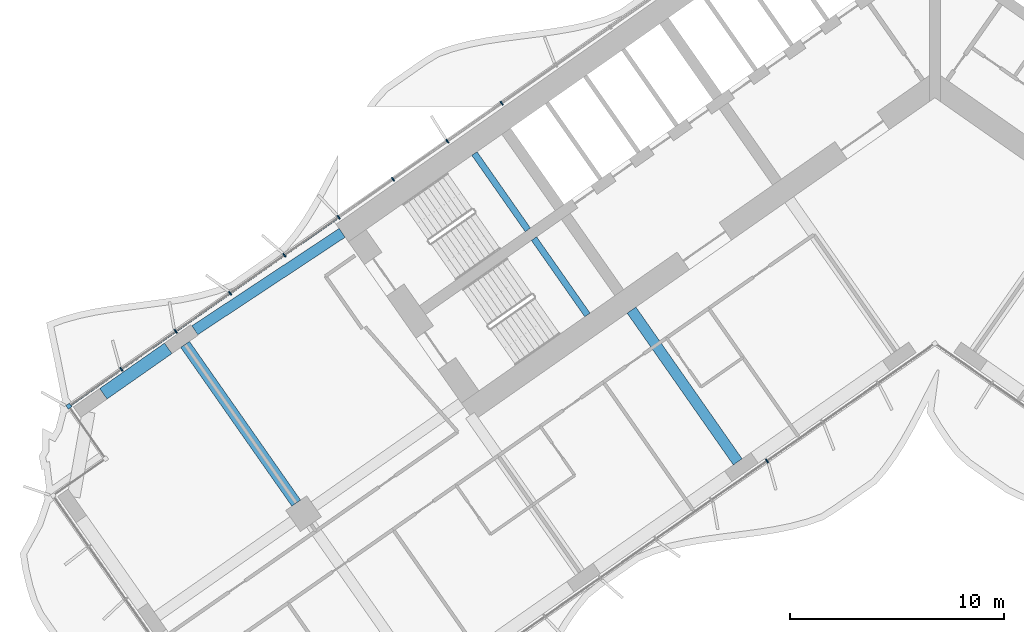
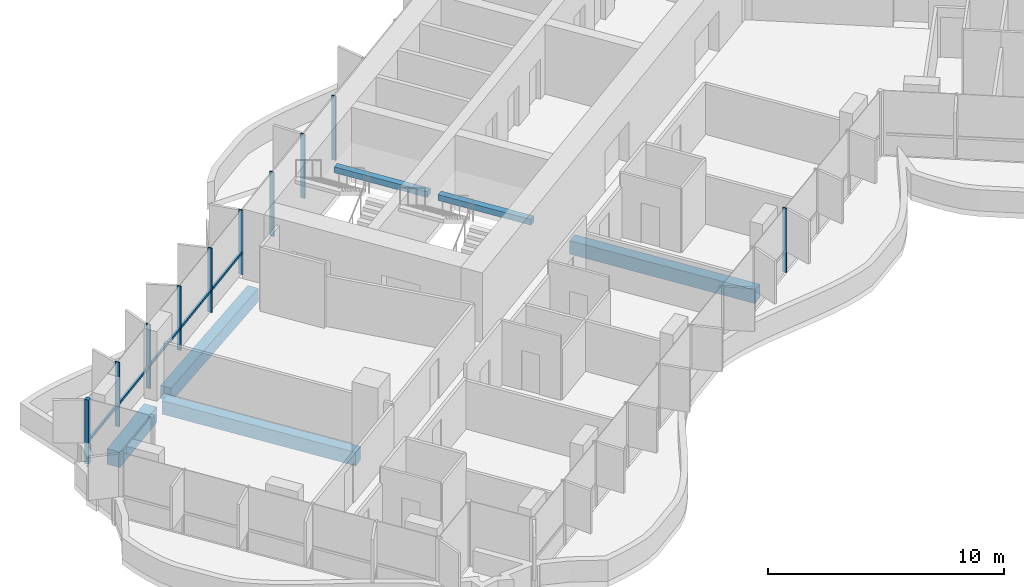
# One storey, part 4 of 23: 11 members, 6 beams, 2 elements without a shape of their own.
"""IFC4 building model written with IfcOpenShell, lengths in metres."""

from ifc_helpers import new_model, si_unit, direction, frame, origin, origin_2d, place, context, subcontext, project, spatial, rectangle, extrude, material, material_profile, profile_set, type_object, element, aggregate, save


model = new_model("IFC4")

# Units and contexts
model_context = context("Model", 3, precision=1e-05, world=origin(), true_north=direction((0.0, 1.0)))
body_context = subcontext(model_context, "Body", "Model", "MODEL_VIEW")
ifc_project = project(units=[si_unit("LENGTHUNIT", "METRE"), si_unit("AREAUNIT", "SQUARE_METRE"), si_unit("VOLUMEUNIT", "CUBIC_METRE"), si_unit("PLANEANGLEUNIT", "RADIAN"), si_unit("MASSUNIT", "GRAM", prefix="KILO")], contexts=[model_context])

# Site, building, storey
site_placement = place(None, origin())
site = spatial("IfcSite", under=ifc_project, at=site_placement, CompositionType="ELEMENT")
building_placement = place(site_placement, origin())
building = spatial("IfcBuilding", under=site, at=building_placement, Name="Tel Ilan Convention Tower", CompositionType="ELEMENT")
storey_placement = place(building_placement, frame((0.0, 0.0, 112.10009765625)))
storey = spatial("IfcBuildingStorey", under=building, at=storey_placement, Name="L24", CompositionType="ELEMENT", Elevation=112.10009765625)

# Beams
ifc_material_1 = material(Name="Concrete C40/50", Category="concrete")
ifc_material_profile_1 = material_profile(ifc_material_1, rectangle(XDim=0.5, YDim=0.699951171875, at=origin_2d()), Name="RC 500x700")
ifc_profile_set_1 = profile_set([ifc_material_profile_1], Name="Concrete C40/50")
beam_type_1 = type_object("IfcBeamType", Name="Beam RC 500x700 Concrete C40/50", PredefinedType="BEAM", material=ifc_profile_set_1)
beam_1_placement = place(storey_placement, frame((-34.570556640625, -12.08447265625, -0.630126953125), z_axis=(0.834273603487, 0.551350663847, 0.0), x_axis=(-0.551350663847, 0.834273603487, 0.0)))
element("IfcBeam", 1, at=beam_1_placement, inside=storey, type_object=beam_type_1, Name="L24 beam W-W-B4-core", PredefinedType="BEAM", context=body_context, shape_type="SweptSolid", body=[
    extrude(rectangle(XDim=0.5, YDim=0.699951171875, at=origin_2d()), origin(), (0.0, 0.0, 1.0), 8.2529296875),
])
beam_2_placement = place(storey_placement, frame((-9.209716796875, -18.229248046875, -0.630126953125), z_axis=(-0.573574099654, 0.819153680457, 0.0), x_axis=(-0.819153680457, -0.573574099654, 0.0)))
element("IfcBeam", 2, at=beam_2_placement, inside=storey, type_object=beam_type_1, Name="L24 beam W-W-F2-core", PredefinedType="BEAM", context=body_context, shape_type="SweptSolid", body=[
    extrude(rectangle(XDim=0.5, YDim=0.699951171875, at=origin_2d()), origin(), (0.0, 0.0, 1.0), 8.64990234375),
])
beam_3_placement = place(storey_placement, frame((-29.83349609375, -20.1572265625, -0.630126953125), z_axis=(-0.57358002233, 0.819149533348, 0.0), x_axis=(-0.819149533348, -0.57358002233, 0.0)))
element("IfcBeam", 3, at=beam_3_placement, inside=storey, type_object=beam_type_1, Name="L24 beam W-W-M4-W-B4", PredefinedType="BEAM", context=body_context, shape_type="SweptSolid", body=[
    extrude(rectangle(XDim=0.5, YDim=0.699951171875, at=origin_2d()), origin(), (0.0, 0.0, 1.0), 9.050048828125),
])
ifc_material_2 = material(Name="Concrete C40/50", Category="concrete")
ifc_material_profile_2 = material_profile(ifc_material_2, rectangle(XDim=0.60009765625, YDim=0.800048828125, at=origin_2d()), Name="RC 600x800")
ifc_profile_set_2 = profile_set([ifc_material_profile_2], Name="Concrete C40/50")
beam_type_2 = type_object("IfcBeamType", Name="Beam RC 600x800 Concrete C40/50", PredefinedType="BEAM", material=ifc_profile_set_2)
beam_4_placement = place(storey_placement, frame((-38.841796875, -15.050537109375, -0.68017578125), z_axis=(0.819185419371, 0.573528768842, 0.0), x_axis=(-0.573528768842, 0.819185419371, 0.0)))
element("IfcBeam", 4, at=beam_4_placement, inside=storey, type_object=beam_type_2, Name="L24 beam W-W-BC-W-B4", PredefinedType="BEAM", context=body_context, shape_type="SweptSolid", body=[
    extrude(rectangle(XDim=0.60009765625, YDim=0.800048828125, at=origin_2d()), origin(), (0.0, 0.0, 1.0), 3.699951171875),
])

# Curtain wall, member
ifc_material_3 = material(Name="Aluminium, bronze anodised", Category="aluminium")
curtain_wall_type_1 = type_object("IfcCurtainWallType", Name="CW1 UNITISED CURTAIN WALL, HOTEL TINTED GLASS", PredefinedType="NOTDEFINED", material=ifc_material_3)
curtain_wall_1_placement = place(storey_placement, origin())
curtain_wall_1 = element("IfcCurtainWall", 5, at=curtain_wall_1_placement, inside=storey, type_object=curtain_wall_type_1, Name="Curtain wall CW1-20.02", PredefinedType="NOTDEFINED")
ifc_material_4 = material(Name="Aluminium, bronze anodised", Category="aluminium")
ifc_material_profile_3 = material_profile(ifc_material_4, rectangle(XDim=0.199951171875, YDim=0.199951171875, at=origin_2d()), Name="CW CORNER MULLION 200x200")
ifc_profile_set_3 = profile_set([ifc_material_profile_3], Name="Aluminium, bronze anodised")
member_type_1 = type_object("IfcMemberType", Name="CW CORNER MULLION 200x200", PredefinedType="MULLION", material=ifc_profile_set_3)
member_1_placement = place(storey_placement, frame((-40.451416015625, -15.62841796875, 0.0), z_axis=(0.0, 0.0, 1.0), x_axis=(-0.819152044289, -0.573576436351, 0.0)))
member_1 = element("IfcMember", 6, at=member_1_placement, type_object=member_type_1, Name="Corner mullion", PredefinedType="MULLION", context=body_context, shape_type="SweptSolid", body=[
    extrude(rectangle(XDim=0.199951171875, YDim=0.199951171875, at=origin_2d()), origin(), (0.0, 0.0, 1.0), 3.31982421875),
])

# Curtain wall, members
ifc_material_5 = material(Name="Aluminium, bronze anodised", Category="aluminium")
curtain_wall_type_2 = type_object("IfcCurtainWallType", Name="CW2 STICK CURTAIN WALL, SPANDREL PANELS", PredefinedType="NOTDEFINED", material=ifc_material_5)
curtain_wall_2_placement = place(storey_placement, origin())
curtain_wall_2 = element("IfcCurtainWall", 7, at=curtain_wall_2_placement, inside=storey, type_object=curtain_wall_type_2, Name="Curtain wall CW2-20.01", PredefinedType="NOTDEFINED")
ifc_material_6 = material(Name="Aluminium, bronze anodised", Category="aluminium")
ifc_material_profile_4 = material_profile(ifc_material_6, rectangle(XDim=0.06005859375, YDim=0.199951171875, at=origin_2d()), Name="CW MULLION 60x200")
ifc_profile_set_4 = profile_set([ifc_material_profile_4], Name="Aluminium, bronze anodised")
member_type_2 = type_object("IfcMemberType", Name="CW MULLION 60x200", PredefinedType="MULLION", material=ifc_profile_set_4)
member_2_placement = place(storey_placement, frame((-20.238037109375, -1.474853515625, 0.0), z_axis=(0.0, 0.0, 1.0), x_axis=(-0.819152044289, -0.573576436351, 0.0)))
member_2 = element("IfcMember", 8, at=member_2_placement, type_object=member_type_2, Name="Mullion", PredefinedType="MULLION", context=body_context, shape_type="SweptSolid", body=[
    extrude(rectangle(XDim=0.06005859375, YDim=0.199951171875, at=origin_2d()), origin(), (0.0, 0.0, 1.0), 3.31982421875),
])
member_3_placement = place(storey_placement, frame((-22.77490234375, -3.251220703125, 0.0), z_axis=(0.0, 0.0, 1.0), x_axis=(-0.819152044289, -0.573576436351, 0.0)))
member_3 = element("IfcMember", 9, at=member_3_placement, type_object=member_type_2, Name="Mullion", PredefinedType="MULLION", context=body_context, shape_type="SweptSolid", body=[
    extrude(rectangle(XDim=0.06005859375, YDim=0.199951171875, at=origin_2d()), origin(), (0.0, 0.0, 1.0), 3.31982421875),
])
member_4_placement = place(storey_placement, frame((-25.311767578125, -5.027587890625, 0.0), z_axis=(0.0, 0.0, 1.0), x_axis=(-0.819152044289, -0.573576436351, 0.0)))
member_4 = element("IfcMember", 10, at=member_4_placement, type_object=member_type_2, Name="Mullion", PredefinedType="MULLION", context=body_context, shape_type="SweptSolid", body=[
    extrude(rectangle(XDim=0.06005859375, YDim=0.199951171875, at=origin_2d()), origin(), (0.0, 0.0, 1.0), 3.31982421875),
])
member_5_placement = place(storey_placement, frame((-27.848876953125, -6.803955078125, 0.0), z_axis=(0.0, 0.0, 1.0), x_axis=(-0.819152044289, -0.573576436351, 0.0)))
member_5 = element("IfcMember", 11, at=member_5_placement, type_object=member_type_2, Name="Mullion", PredefinedType="MULLION", context=body_context, shape_type="SweptSolid", body=[
    extrude(rectangle(XDim=0.06005859375, YDim=0.199951171875, at=origin_2d()), origin(), (0.0, 0.0, 1.0), 3.31982421875),
])
aggregate(curtain_wall_2, [member_2, member_3, member_4, member_5])

# Member
member_6_placement = place(storey_placement, frame((-30.3857421875, -8.580322265625, 0.0), z_axis=(0.0, 0.0, 1.0), x_axis=(-0.819152044289, -0.573576436351, 0.0)))
member_6 = element("IfcMember", 12, at=member_6_placement, type_object=member_type_2, Name="Mullion", PredefinedType="MULLION", context=body_context, shape_type="SweptSolid", body=[
    extrude(rectangle(XDim=0.06005859375, YDim=0.199951171875, at=origin_2d()), origin(), (0.0, 0.0, 1.0), 3.31982421875),
])

member_7_placement = place(storey_placement, frame((-32.922607421875, -10.356689453125, 0.0), z_axis=(0.0, 0.0, 1.0), x_axis=(-0.819152044289, -0.573576436351, 0.0)))
member_7 = element("IfcMember", 13, at=member_7_placement, type_object=member_type_2, Name="Mullion", PredefinedType="MULLION", context=body_context, shape_type="SweptSolid", body=[
    extrude(rectangle(XDim=0.06005859375, YDim=0.199951171875, at=origin_2d()), origin(), (0.0, 0.0, 1.0), 3.31982421875),
])

member_8_placement = place(storey_placement, frame((-35.45947265625, -12.133056640625, 0.0), z_axis=(0.0, 0.0, 1.0), x_axis=(-0.819152044289, -0.573576436351, 0.0)))
member_8 = element("IfcMember", 14, at=member_8_placement, type_object=member_type_2, Name="Mullion", PredefinedType="MULLION", context=body_context, shape_type="SweptSolid", body=[
    extrude(rectangle(XDim=0.06005859375, YDim=0.199951171875, at=origin_2d()), origin(), (0.0, 0.0, 1.0), 3.31982421875),
])

member_9_placement = place(storey_placement, frame((-37.99658203125, -13.909423828125, 0.0), z_axis=(0.0, 0.0, 1.0), x_axis=(-0.819152044289, -0.573576436351, 0.0)))
member_9 = element("IfcMember", 15, at=member_9_placement, type_object=member_type_2, Name="Mullion", PredefinedType="MULLION", context=body_context, shape_type="SweptSolid", body=[
    extrude(rectangle(XDim=0.06005859375, YDim=0.199951171875, at=origin_2d()), origin(), (0.0, 0.0, 1.0), 3.31982421875),
])

member_10_placement = place(storey_placement, frame((-7.842529296875, -18.1875, 0.0), z_axis=(0.0, 0.0, 1.0), x_axis=(0.819152044289, 0.573576436351, 0.0)))
member_10 = element("IfcMember", 16, at=member_10_placement, type_object=member_type_2, Name="Mullion", PredefinedType="MULLION", context=body_context, shape_type="SweptSolid", body=[
    extrude(rectangle(XDim=0.06005859375, YDim=0.199951171875, at=origin_2d()), origin(), (0.0, 0.0, 1.0), 3.31982421875),
])

ifc_material_7 = material(Name="Aluminium, bronze anodised", Category="aluminium")
ifc_material_profile_5 = material_profile(ifc_material_7, rectangle(XDim=0.10009765625, YDim=0.1201171875, at=origin_2d()), Name="CW TRANSOM 100x120")
ifc_profile_set_5 = profile_set([ifc_material_profile_5], Name="Aluminium, bronze anodised")
member_type_3 = type_object("IfcMemberType", Name="CW TRANSOM 100x120", PredefinedType="USERDEFINED", material=ifc_profile_set_5)
member_11_placement = place(storey_placement, frame((-27.873291015625, -6.821044921875, 1.099853515625), z_axis=(-0.819152967985, -0.573575117174, 0.0), x_axis=(0.573575117174, -0.819152967985, 0.0)))
member_11 = element("IfcMember", 17, at=member_11_placement, type_object=member_type_3, Name="Transom", ObjectType="TRANSOM", PredefinedType="USERDEFINED", context=body_context, shape_type="SweptSolid", body=[
    extrude(rectangle(XDim=0.10009765625, YDim=0.1201171875, at=origin_2d()), origin(), (0.0, 0.0, 1.0), 15.255126953125),
])

aggregate(curtain_wall_1, [member_6, member_7, member_8, member_9, member_1, member_11, member_10])

# Beams
ifc_material_8 = material(Name="Concrete C40/50", Category="concrete")
ifc_material_profile_6 = material_profile(ifc_material_8, rectangle(XDim=0.300048828125, YDim=0.300048828125, at=origin_2d()), Name="RC 300x300")
ifc_profile_set_6 = profile_set([ifc_material_profile_6], Name="Concrete C40/50")
beam_type_3 = type_object("IfcBeamType", Name="Landing Beam RC 300x300 Concrete C40/50", PredefinedType="BEAM", material=ifc_profile_set_6)
beam_5_placement = place(storey_placement, frame((-19.013671875, -7.392822265625, 1.449951171875), z_axis=(-0.57356780395, 0.819158088694, 0.0), x_axis=(-0.819158088694, -0.57356780395, 0.0)))
element("IfcBeam", 18, at=beam_5_placement, inside=storey, type_object=beam_type_3, Name="S1 landing beam L24.1", PredefinedType="BEAM", context=body_context, shape_type="SweptSolid", body=[
    extrude(rectangle(XDim=0.300048828125, YDim=0.300048828125, at=origin_2d()), origin(), (0.0, 0.0, 1.0), 4.35009765625),
])
beam_6_placement = place(storey_placement, frame((-16.231689453125, -11.365478515625, 1.449951171875), z_axis=(-0.573594173421, 0.819139624372, 0.0), x_axis=(-0.819139624372, -0.573594173421, 0.0)))
element("IfcBeam", 19, at=beam_6_placement, inside=storey, type_object=beam_type_3, Name="S2 landing beam L24.1", PredefinedType="BEAM", context=body_context, shape_type="SweptSolid", body=[
    extrude(rectangle(XDim=0.300048828125, YDim=0.300048828125, at=origin_2d()), origin(), (0.0, 0.0, 1.0), 4.349853515625),
])

save(model, "model.ifc")
